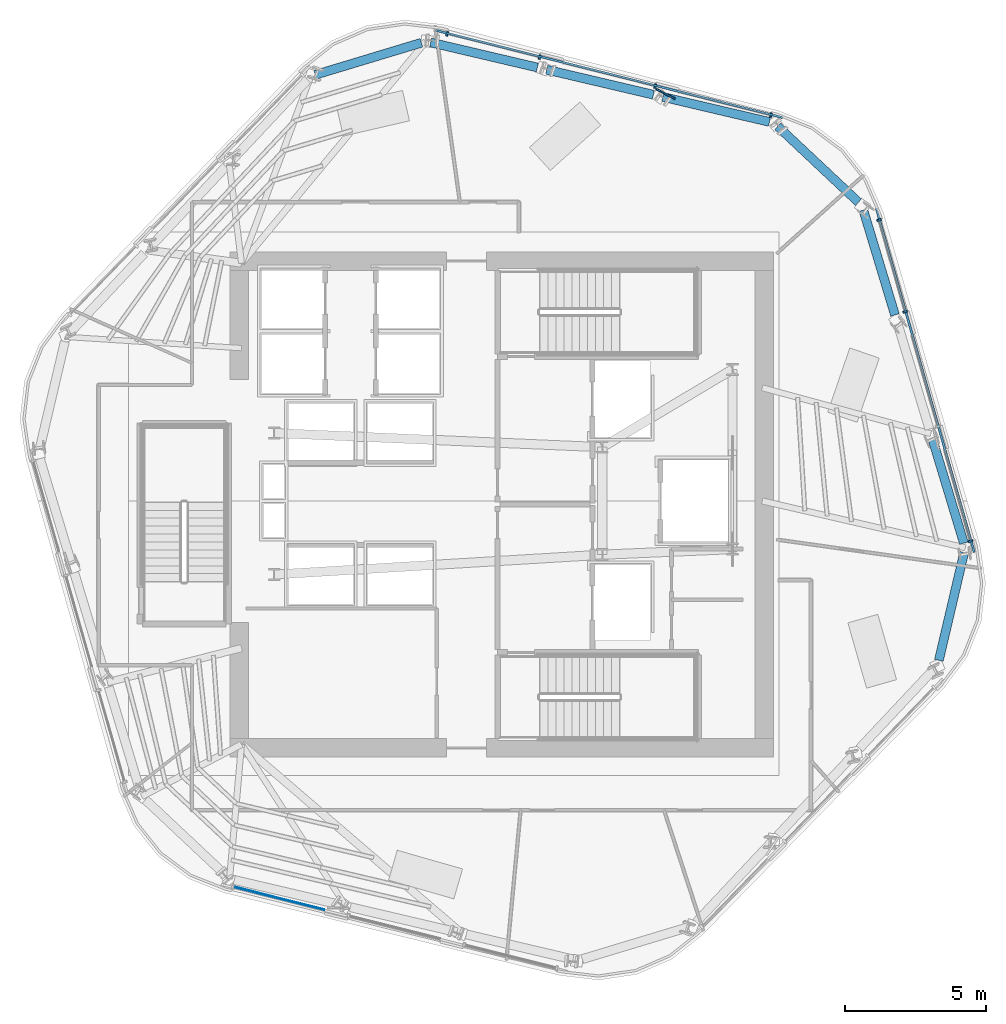
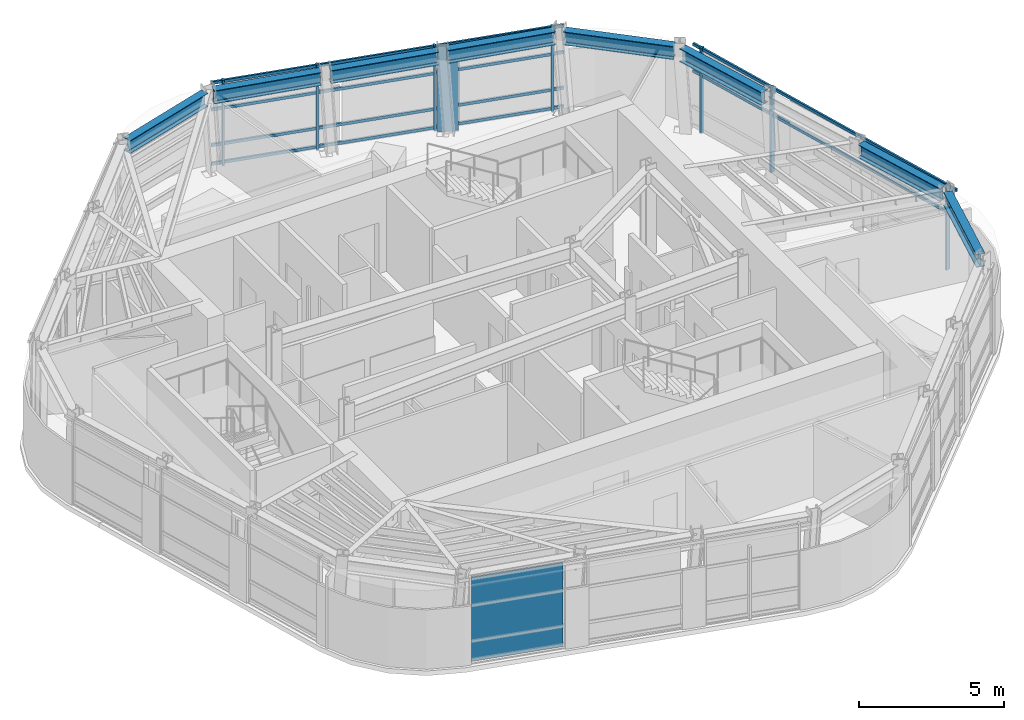
# One storey, part 5 of 13: 14 members, 8 beams, 1 plate, 3 elements without a shape of their own.
"""IFC4 building model written with IfcOpenShell, lengths in metres."""

from ifc_helpers import new_model, si_unit, direction, frame, origin, origin_2d, place, context, subcontext, project, spatial, rectangle, i_section, extrude, material, layer, layer_set, material_profile, profile_set, type_object, element, aggregate, save


model = new_model("IFC4")

# Units and contexts
model_context = context("Model", 3, precision=1e-05, world=origin(), true_north=direction((0.0, 1.0)))
body_context = subcontext(model_context, "Body", "Model", "MODEL_VIEW")
ifc_project = project(units=[si_unit("LENGTHUNIT", "METRE"), si_unit("AREAUNIT", "SQUARE_METRE"), si_unit("VOLUMEUNIT", "CUBIC_METRE"), si_unit("PLANEANGLEUNIT", "RADIAN"), si_unit("MASSUNIT", "GRAM", prefix="KILO")], contexts=[model_context])

# Site, building, storey
site_placement = place(None, origin())
site = spatial("IfcSite", under=ifc_project, at=site_placement, CompositionType="ELEMENT")
building_placement = place(site_placement, origin())
building = spatial("IfcBuilding", under=site, at=building_placement, Name="Valkerne Bourse Tower", CompositionType="ELEMENT")
storey_placement = place(building_placement, frame((0.0, 0.0, 220.800048828125)))
storey = spatial("IfcBuildingStorey", under=building, at=storey_placement, Name="L56", CompositionType="ELEMENT", Elevation=220.800048828125)

# Beams
ifc_material_1 = material(Name="Steel ASTM A992", Category="steel")
ifc_material_profile_1 = material_profile(ifc_material_1, i_section(OverallWidth=0.31494140625, OverallDepth=0.5537109375, WebThickness=0.0166015625, FlangeThickness=0.026123046875, FilletRadius=0.020263671875, at=origin_2d()), Name="W21X132")
ifc_profile_set_1 = profile_set([ifc_material_profile_1], Name="Steel ASTM A992")
beam_type = type_object("IfcBeamType", Name="BM-W21X132", PredefinedType="BEAM", material=ifc_profile_set_1)
beam_1_placement = place(storey_placement, frame((56.256103515625, 40.393310546875, 3.3232421875), z_axis=(-0.973570761932, 0.228385576407, 0.0), x_axis=(-0.228385576407, -0.973570761932, 0.0)))
element("IfcBeam", 1, at=beam_1_placement, inside=storey, type_object=beam_type, Name="L56 Hexagonal Spandrel Ring Beam 00", PredefinedType="BEAM", context=body_context, shape_type="SweptSolid", body=[
    extrude(i_section(OverallWidth=0.31494140625, OverallDepth=0.5537109375, WebThickness=0.0166015625, FlangeThickness=0.026123046875, FilletRadius=0.020263671875, at=origin_2d()), origin(), (0.0, 0.0, 1.0), 3.871826171875),
])
beam_2_placement = place(storey_placement, frame((52.155517578125, 41.35498046875, 3.3232421875), z_axis=(-0.973574050582, 0.228371556972, 0.0), x_axis=(-0.228371556972, -0.973574050582, 0.0)))
element("IfcBeam", 2, at=beam_2_placement, inside=storey, type_object=beam_type, Name="L56 Hexagonal Spandrel Ring Beam 01", PredefinedType="BEAM", context=body_context, shape_type="SweptSolid", body=[
    extrude(i_section(OverallWidth=0.31494140625, OverallDepth=0.5537109375, WebThickness=0.0166015625, FlangeThickness=0.026123046875, FilletRadius=0.020263671875, at=origin_2d()), origin(), (0.0, 0.0, 1.0), 3.8720703125),
])
beam_3_placement = place(storey_placement, frame((48.0546875, 42.31689453125, 3.3232421875), z_axis=(-0.973570761932, 0.228385576407, 0.0), x_axis=(-0.228385576407, -0.973570761932, 0.0)))
element("IfcBeam", 3, at=beam_3_placement, inside=storey, type_object=beam_type, Name="L56 Hexagonal Spandrel Ring Beam 02", PredefinedType="BEAM", context=body_context, shape_type="SweptSolid", body=[
    extrude(i_section(OverallWidth=0.31494140625, OverallDepth=0.5537109375, WebThickness=0.0166015625, FlangeThickness=0.026123046875, FilletRadius=0.020263671875, at=origin_2d()), origin(), (0.0, 0.0, 1.0), 3.871826171875),
])
for number, where, z_axis, x_axis, name in (
    (4, (43.956787109375, 43.19091796875, 3.3232421875), (-0.957313388564, -0.28905203005, 0.0), (0.28905203005, -0.957313388564, 0.0), "L56 Hexagonal Spandrel Ring Beam 03"),
    (5, (62.2431640625, 21.366943359375, 3.3232421875), (0.228382476142, 0.973571489204, 0.0), (-0.973571489204, 0.228382476142, 0.0), "L56 Hexagonal Spandrel Ring Beam 19"),
):
    element("IfcBeam", number, at=place(storey_placement, frame(where, z_axis=z_axis, x_axis=x_axis)), inside=storey, type_object=beam_type, Name=name, PredefinedType="BEAM", context=body_context, shape_type="SweptSolid", body=[
        extrude(i_section(OverallWidth=0.31494140625, OverallDepth=0.5537109375, WebThickness=0.0166015625, FlangeThickness=0.026123046875, FilletRadius=0.020263671875, at=origin_2d()), origin(), (0.0, 0.0, 1.0), 3.915771484375),
    ])
for number, where, z_axis, x_axis, name in (
    (6, (63.127197265625, 25.50732421875, 3.3232421875), (-0.289088542169, 0.957302363304, 0.0), (-0.957302363304, -0.289088542169, 0.0), "L56 Hexagonal Spandrel Ring Beam 20"),
    (7, (60.6923828125, 33.57177734375, 3.3232421875), (-0.289088542169, 0.957302363304, 0.0), (-0.957302363304, -0.289088542169, 0.0), "L56 Hexagonal Spandrel Ring Beam 22"),
):
    element("IfcBeam", number, at=place(storey_placement, frame(where, z_axis=z_axis, x_axis=x_axis)), inside=storey, type_object=beam_type, Name=name, PredefinedType="BEAM", context=body_context, shape_type="SweptSolid", body=[
        extrude(i_section(OverallWidth=0.31494140625, OverallDepth=0.5537109375, WebThickness=0.0166015625, FlangeThickness=0.026123046875, FilletRadius=0.020263671875, at=origin_2d()), origin(), (0.0, 0.0, 1.0), 3.8720703125),
    ])
beam_4_placement = place(storey_placement, frame((59.400146484375, 37.5576171875, 3.3232421875), z_axis=(-0.728984769201, 0.684529916273, 0.0), x_axis=(-0.684529916273, -0.728984769201, 0.0)))
element("IfcBeam", 8, at=beam_4_placement, inside=storey, type_object=beam_type, Name="L56 Hexagonal Spandrel Ring Beam 23", PredefinedType="BEAM", context=body_context, shape_type="SweptSolid", body=[
    extrude(i_section(OverallWidth=0.31494140625, OverallDepth=0.5537109375, WebThickness=0.0166015625, FlangeThickness=0.026123046875, FilletRadius=0.020263671875, at=origin_2d()), origin(), (0.0, 0.0, 1.0), 3.915771484375),
])

# Curtain wall, members
ifc_material_2 = material(Name="Aluminium AA 6063-T6", Category="aluminium")
ifc_layer_1 = layer(ifc_material_2, 0.239990234375)
ifc_layer_set_1 = layer_set([ifc_layer_1], Name="Aluminium AA 6063-T6")
curtain_wall_type = type_object("IfcCurtainWallType", Name="CW-04", PredefinedType="NOTDEFINED", material=ifc_layer_set_1)
curtain_wall_1_placement = place(storey_placement, origin())
curtain_wall_1 = element("IfcCurtainWall", 9, at=curtain_wall_1_placement, inside=storey, type_object=curtain_wall_type, Name="L56 Hexagonal Stick Curtain Wall Face 1", PredefinedType="NOTDEFINED")
ifc_material_profile_2 = material_profile(ifc_material_2, rectangle(XDim=0.074951171875, YDim=0.159912109375, at=origin_2d()), Name="CWM-75X160")
ifc_profile_set_2 = profile_set([ifc_material_profile_2], Name="Aluminium AA 6063-T6")
member_type_1 = type_object("IfcMemberType", Name="CW-MUL-160X75", PredefinedType="MULLION", material=ifc_profile_set_2)
member_1_placement = place(storey_placement, frame((56.305908203125, 40.6337890625, 0.0), z_axis=(0.0, 0.0, 1.0), x_axis=(-0.96987236288, 0.243613627949, 0.0)))
member_1 = element("IfcMember", 10, at=member_1_placement, type_object=member_type_1, Name="CW-L56-F1 Jamb Mullion 00A", PredefinedType="MULLION", context=body_context, shape_type="SweptSolid", body=[
    extrude(rectangle(XDim=0.074951171875, YDim=0.159912109375, at=origin_2d()), origin(), (0.0, 0.0, 1.0), 3.599853515625),
])
member_2_placement = place(storey_placement, frame((52.220703125, 41.659912109375, 0.0), z_axis=(0.0, 0.0, 1.0), x_axis=(-0.96987236288, 0.243613627949, 0.0)))
member_2 = element("IfcMember", 11, at=member_2_placement, type_object=member_type_1, Name="CW-L56-F1 Jamb Mullion 01A", PredefinedType="MULLION", context=body_context, shape_type="SweptSolid", body=[
    extrude(rectangle(XDim=0.074951171875, YDim=0.159912109375, at=origin_2d()), origin(), (0.0, 0.0, 1.0), 3.599853515625),
])
member_3_placement = place(storey_placement, frame((48.135498046875, 42.68603515625, 0.0), z_axis=(0.0, 0.0, 1.0), x_axis=(-0.96987236288, 0.243613627949, 0.0)))
member_3 = element("IfcMember", 12, at=member_3_placement, type_object=member_type_1, Name="CW-L56-F1 Jamb Mullion 02A", PredefinedType="MULLION", context=body_context, shape_type="SweptSolid", body=[
    extrude(rectangle(XDim=0.074951171875, YDim=0.159912109375, at=origin_2d()), origin(), (0.0, 0.0, 1.0), 3.599853515625),
])
member_4_placement = place(storey_placement, frame((44.865234375, 43.50732421875, 0.0), z_axis=(0.0, 0.0, 1.0), x_axis=(-0.96987236288, 0.243613627949, 0.0)))
member_4 = element("IfcMember", 13, at=member_4_placement, type_object=member_type_1, Name="CW-L56-F1 Jamb Mullion 02B", PredefinedType="MULLION", context=body_context, shape_type="SweptSolid", body=[
    extrude(rectangle(XDim=0.074951171875, YDim=0.159912109375, at=origin_2d()), origin(), (0.0, 0.0, 1.0), 3.599853515625),
])

curtain_wall_2_placement = place(storey_placement, origin())
curtain_wall_2 = element("IfcCurtainWall", 14, at=curtain_wall_2_placement, inside=storey, type_object=curtain_wall_type, Name="L56 Hexagonal Stick Curtain Wall Face 6", PredefinedType="NOTDEFINED")
member_5_placement = place(storey_placement, frame((63.360107421875, 25.584716796875, 0.0), z_axis=(0.0, 0.0, 1.0), x_axis=(-0.273959057484, 0.961741355471, 0.0)))
member_5 = element("IfcMember", 15, at=member_5_placement, type_object=member_type_1, Name="CW-L56-F6 Jamb Mullion 00A", PredefinedType="MULLION", context=body_context, shape_type="SweptSolid", body=[
    extrude(rectangle(XDim=0.074951171875, YDim=0.159912109375, at=origin_2d()), origin(), (0.0, 0.0, 1.0), 3.599853515625),
])
member_6_placement = place(storey_placement, frame((61.05224609375, 33.686279296875, 0.0), z_axis=(0.0, 0.0, 1.0), x_axis=(-0.273959057484, 0.961741355471, 0.0)))
member_6 = element("IfcMember", 16, at=member_6_placement, type_object=member_type_1, Name="CW-L56-F6 Jamb Mullion 02A", PredefinedType="MULLION", context=body_context, shape_type="SweptSolid", body=[
    extrude(rectangle(XDim=0.074951171875, YDim=0.159912109375, at=origin_2d()), origin(), (0.0, 0.0, 1.0), 3.599853515625),
])
member_7_placement = place(storey_placement, frame((60.12841796875, 36.92919921875, 0.0), z_axis=(0.0, 0.0, 1.0), x_axis=(-0.273959057484, 0.961741355471, 0.0)))
member_7 = element("IfcMember", 17, at=member_7_placement, type_object=member_type_1, Name="CW-L56-F6 Jamb Mullion 02B", PredefinedType="MULLION", context=body_context, shape_type="SweptSolid", body=[
    extrude(rectangle(XDim=0.074951171875, YDim=0.159912109375, at=origin_2d()), origin(), (0.0, 0.0, 1.0), 3.599853515625),
])

# Member
ifc_material_profile_3 = material_profile(ifc_material_2, rectangle(XDim=0.074951171875, YDim=0.1201171875, at=origin_2d()), Name="CWT-75X120")
ifc_profile_set_3 = profile_set([ifc_material_profile_3], Name="Aluminium AA 6063-T6")
member_type_2 = type_object("IfcMemberType", Name="CW-TRN-120X75", PredefinedType="USERDEFINED", material=ifc_profile_set_3)
member_8_placement = place(storey_placement, frame((56.718017578125, 40.55078125, 0.119873046875), z_axis=(-0.969871403958, 0.243617445566, 0.0), x_axis=(-0.243617445566, -0.969871403958, 0.0)))
member_8 = element("IfcMember", 18, at=member_8_placement, type_object=member_type_2, Name="CW-L56-F1 Continuous Face Transom 1", ObjectType="TRANSOM", PredefinedType="USERDEFINED", context=body_context, shape_type="SweptSolid", body=[
    extrude(rectangle(XDim=0.074951171875, YDim=0.1201171875, at=origin_2d()), origin(), (0.0, 0.0, 1.0), 12.635986328125),
])

member_9_placement = place(storey_placement, frame((56.718017578125, 40.55078125, 0.89990234375), z_axis=(-0.969871403958, 0.243617445566, 0.0), x_axis=(-0.243617445566, -0.969871403958, 0.0)))
member_9 = element("IfcMember", 19, at=member_9_placement, type_object=member_type_2, Name="CW-L56-F1 Continuous Face Transom 2", ObjectType="TRANSOM", PredefinedType="USERDEFINED", context=body_context, shape_type="SweptSolid", body=[
    extrude(rectangle(XDim=0.074951171875, YDim=0.1201171875, at=origin_2d()), origin(), (0.0, 0.0, 1.0), 12.635986328125),
])

member_10_placement = place(storey_placement, frame((56.718017578125, 40.55078125, 2.39990234375), z_axis=(-0.969871403958, 0.243617445566, 0.0), x_axis=(-0.243617445566, -0.969871403958, 0.0)))
member_10 = element("IfcMember", 20, at=member_10_placement, type_object=member_type_2, Name="CW-L56-F1 Continuous Face Transom 3", ObjectType="TRANSOM", PredefinedType="USERDEFINED", context=body_context, shape_type="SweptSolid", body=[
    extrude(rectangle(XDim=0.074951171875, YDim=0.1201171875, at=origin_2d()), origin(), (0.0, 0.0, 1.0), 12.635986328125),
])

member_11_placement = place(storey_placement, frame((56.718017578125, 40.55078125, 3.52001953125), z_axis=(-0.969871403958, 0.243617445566, 0.0), x_axis=(-0.243617445566, -0.969871403958, 0.0)))
member_11 = element("IfcMember", 21, at=member_11_placement, type_object=member_type_2, Name="CW-L56-F1 Continuous Face Transom 4", ObjectType="TRANSOM", PredefinedType="USERDEFINED", context=body_context, shape_type="SweptSolid", body=[
    extrude(rectangle(XDim=0.074951171875, YDim=0.1201171875, at=origin_2d()), origin(), (0.0, 0.0, 1.0), 12.635986328125),
])

aggregate(curtain_wall_1, [member_8, member_9, member_10, member_11, member_1, member_2, member_3, member_4])

member_12_placement = place(storey_placement, frame((63.494384765625, 25.186279296875, 2.39990234375), z_axis=(-0.273958028661, 0.961741648538, 0.0), x_axis=(-0.961741648538, -0.273958028661, 0.0)))
member_12 = element("IfcMember", 22, at=member_12_placement, type_object=member_type_2, Name="CW-L56-F6 Continuous Face Transom 3", ObjectType="TRANSOM", PredefinedType="USERDEFINED", context=body_context, shape_type="SweptSolid", body=[
    extrude(rectangle(XDim=0.074951171875, YDim=0.1201171875, at=origin_2d()), origin(), (0.0, 0.0, 1.0), 12.6357421875),
])

member_13_placement = place(storey_placement, frame((63.494384765625, 25.186279296875, 3.52001953125), z_axis=(-0.273958028661, 0.961741648538, 0.0), x_axis=(-0.961741648538, -0.273958028661, 0.0)))
member_13 = element("IfcMember", 23, at=member_13_placement, type_object=member_type_2, Name="CW-L56-F6 Continuous Face Transom 4", ObjectType="TRANSOM", PredefinedType="USERDEFINED", context=body_context, shape_type="SweptSolid", body=[
    extrude(rectangle(XDim=0.074951171875, YDim=0.1201171875, at=origin_2d()), origin(), (0.0, 0.0, 1.0), 12.6357421875),
])

aggregate(curtain_wall_2, [member_12, member_13, member_5, member_6, member_7])

ifc_material_3 = material(Name="Bronze Anodised Aluminium AA 6063-T6", Category="aluminium")
ifc_material_profile_4 = material_profile(ifc_material_3, rectangle(XDim=0.06494140625, YDim=0.75, at=origin_2d()), Name="FIN-65X750")
ifc_profile_set_4 = profile_set([ifc_material_profile_4], Name="Bronze Anodised Aluminium AA 6063-T6")
member_type_3 = type_object("IfcMemberType", Name="FIN-SOLAR-650", PredefinedType="USERDEFINED", material=ifc_profile_set_4)
member_14_placement = place(storey_placement, frame((52.584228515625, 41.383056640625, 0.00390625), z_axis=(0.0, 0.0, 1.0), x_axis=(0.457831161707, 0.889039159638, 0.0)))
element("IfcMember", 24, at=member_14_placement, inside=storey, type_object=member_type_3, Name="L56 Bronze Anodised Solar Fin F1-01", ObjectType="SOLAR_FIN", PredefinedType="USERDEFINED", context=body_context, shape_type="SweptSolid", body=[
    extrude(rectangle(XDim=0.06494140625, YDim=0.75, at=origin_2d()), origin(), (0.0, 0.0, 1.0), 3.592041015625),
])

# Curtain wall, plate
curtain_wall_3_placement = place(storey_placement, origin())
curtain_wall_3 = element("IfcCurtainWall", 25, at=curtain_wall_3_placement, inside=storey, type_object=curtain_wall_type, Name="L56 Hexagonal Stick Curtain Wall Face 4", PredefinedType="NOTDEFINED")
ifc_material_4 = material(Name="Glass IGU Low-E Double Glazed", Category="glass")
ifc_layer_2 = layer(ifc_material_4, 0.031982421875)
ifc_layer_set_2 = layer_set([ifc_layer_2], Name="Glass IGU Low-E Double Glazed")
plate_type = type_object("IfcPlateType", Name="CW-PNL-IGU-32", PredefinedType="CURTAIN_PANEL", material=ifc_layer_set_2)
plate_placement = place(storey_placement, frame((38.929443359375, 12.95556640625, 0.030029296875), z_axis=(0.0, 0.0, 1.0), x_axis=(0.96987236288, -0.243613627949, 0.0)))
plate = element("IfcPlate", 26, at=plate_placement, type_object=plate_type, Name="CW-L56-F4 Curtain Panel 00", PredefinedType="CURTAIN_PANEL", context=body_context, shape_type="SweptSolid", body=[
    extrude(rectangle(XDim=3.2919921875, YDim=0.031982421875, at=origin_2d()), origin(), (0.0, 0.0, 1.0), 3.5400390625),
])
aggregate(curtain_wall_3, [plate])

save(model, "model.ifc")
